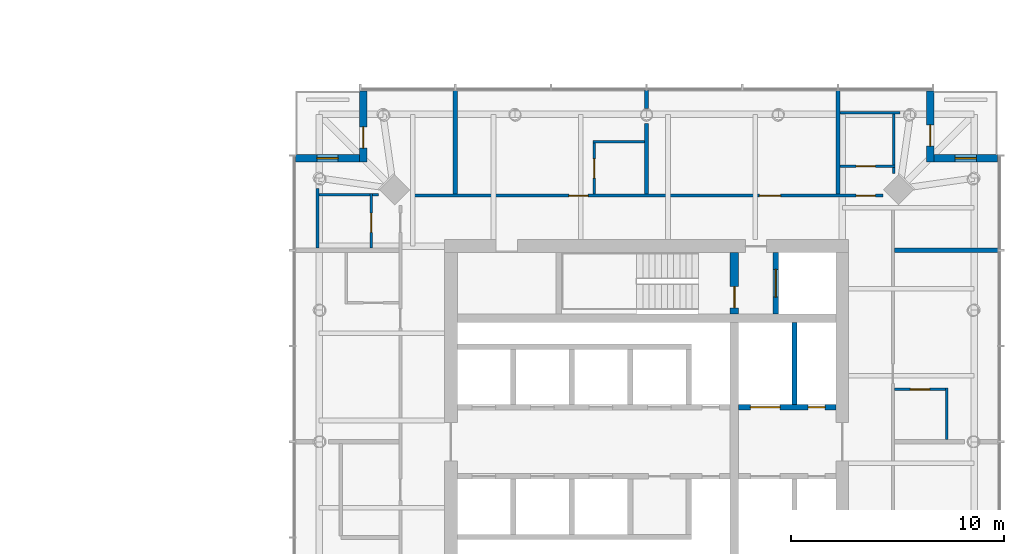
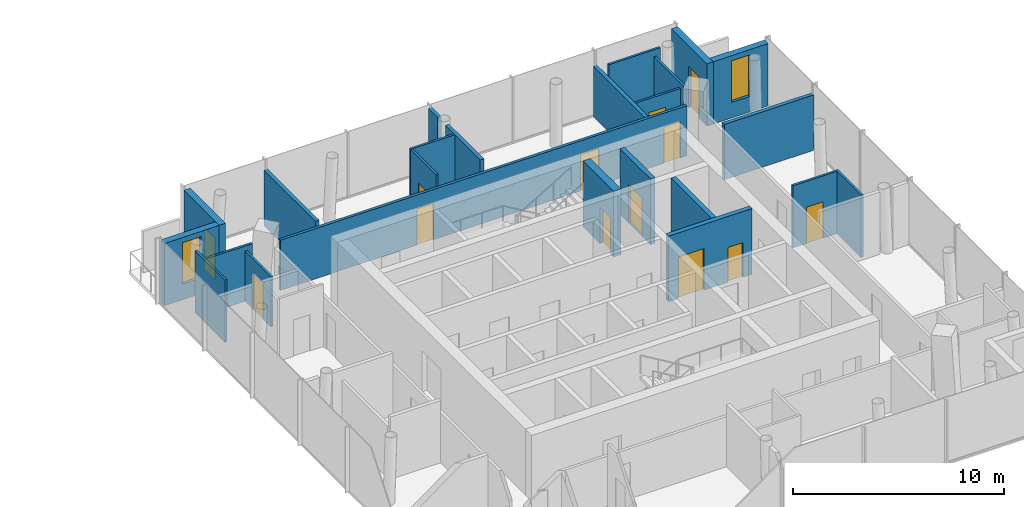
# One storey, part 15 of 18: 24 walls, 13 doors, 2 windows, 15 openings.
"""IFC4 building model written with IfcOpenShell, lengths in metres."""

from ifc_helpers import new_model, si_unit, direction, frame, frame_2d, origin, place, context, subcontext, project, spatial, rectangle, extrude, material, layer, layer_set, type_object, element, fill, save


model = new_model("IFC4")

# Units and contexts
model_context = context("Model", 3, precision=1e-05, world=origin(), true_north=direction((0.0, 1.0)))
body_context = subcontext(model_context, "Body", "Model", "MODEL_VIEW")
ifc_project = project(units=[si_unit("LENGTHUNIT", "METRE"), si_unit("AREAUNIT", "SQUARE_METRE"), si_unit("VOLUMEUNIT", "CUBIC_METRE"), si_unit("PLANEANGLEUNIT", "RADIAN"), si_unit("MASSUNIT", "GRAM", prefix="KILO")], contexts=[model_context])

# Site, building, storey
site_placement = place(None, origin())
site = spatial("IfcSite", under=ifc_project, at=site_placement, CompositionType="ELEMENT")
building_placement = place(site_placement, origin())
building = spatial("IfcBuilding", under=site, at=building_placement, Name="Ostroluk Exchange", CompositionType="ELEMENT")
storey_placement = place(building_placement, frame((0.0, 0.0, 104.60009765625)))
storey = spatial("IfcBuildingStorey", under=building, at=storey_placement, Name="L26", CompositionType="ELEMENT", Elevation=104.60009765625)

# Wall, opening, door
ifc_material_1 = material(Name="Concrete C50/60", Category="concrete")
ifc_layer_1 = layer(ifc_material_1, 0.39990234375)
ifc_layer_set_1 = layer_set([ifc_layer_1], Name="Core cross wall 400 C50/60")
wall_type_1 = type_object("IfcWallType", Name="Core cross wall 400 C50/60", PredefinedType="SHEAR", material=ifc_layer_set_1)
wall_1_placement = place(storey_placement, frame((121.1298828125, 52.0, 0.0), z_axis=(0.0, 0.0, 1.0), x_axis=(0.0, 1.0, 0.0)))
wall_1 = element("IfcWall", 1, at=wall_1_placement, inside=storey, type_object=wall_type_1, Name="T2 core wall YE3", PredefinedType="SHEAR", context=body_context, shape_type="SweptSolid", body=[
    extrude(rectangle(XDim=2.89990234375, YDim=0.39990234375, at=frame_2d((1.449951171875, 0.0))), origin(), (0.0, 0.0, 1.0), 3.7998046875),
])
opening_1_placement = place(wall_1_placement, frame((0.300048828125, 0.0, 0.0)))
opening_1 = element("IfcOpeningElement", 2, at=opening_1_placement, cuts=wall_1, Name="Opening FD60", PredefinedType="OPENING", context=body_context, shape_type="SweptSolid", body=[
    extrude(rectangle(XDim=1.0, YDim=2.10009765625, at=frame_2d((0.5, 1.050048828125))), frame((0.0, 0.2099609375, 0.0), z_axis=(0.0, -1.0, 0.0), x_axis=(1.0, 0.0, 0.0)), (0.0, 0.0, 1.0), 0.419921875),
])
ifc_material_2 = material(Name="Steel", Category="steel")
door_type_1 = type_object("IfcDoorType", Name="Fire door EI 60 1000 x 2100", OperationType="SINGLE_SWING_LEFT", PredefinedType="DOOR", material=ifc_material_2)
door_1_placement = place(opening_1_placement, origin())
door_1 = element("IfcDoor", 3, at=door_1_placement, inside=storey, type_object=door_type_1, Name="Stair T2-S2 door", OperationType="SINGLE_SWING_LEFT", OverallHeight=2.10009765625, OverallWidth=1.0, PredefinedType="DOOR", context=body_context, shape_type="SweptSolid", body=[
    extrude(rectangle(XDim=1.0, YDim=2.10009765625, at=frame_2d((0.5, 1.050048828125))), frame((0.0, 0.02490234375, 0.0), z_axis=(0.0, -1.0, 0.0), x_axis=(1.0, 0.0, 0.0)), (0.0, 0.0, 1.0), 0.050048828125),
])
fill(opening_1, door_1)

ifc_material_3 = material(Name="Concrete C40/50", Category="concrete")
ifc_layer_2 = layer(ifc_material_3, 0.25)
ifc_layer_set_2 = layer_set([ifc_layer_2], Name="Core shaft wall 250")
wall_type_2 = type_object("IfcWallType", Name="Core shaft wall 250", PredefinedType="SHEAR", material=ifc_layer_set_2)
wall_2_placement = place(storey_placement, frame((123.074951171875, 52.0, 0.0), z_axis=(0.0, 0.0, 1.0), x_axis=(0.0, 1.0, 0.0)))
wall_2 = element("IfcWall", 4, at=wall_2_placement, inside=storey, type_object=wall_type_2, Name="Firefighting lift shaft wall", PredefinedType="SHEAR", context=body_context, shape_type="SweptSolid", body=[
    extrude(rectangle(XDim=2.89990234375, YDim=0.25, at=frame_2d((1.449951171875, 0.0))), origin(), (0.0, 0.0, 1.0), 3.7998046875),
])
opening_2_placement = place(wall_2_placement, frame((0.800048828125, 0.0, 0.0)))
opening_2 = element("IfcOpeningElement", 5, at=opening_2_placement, cuts=wall_2, Name="Opening LD2", PredefinedType="OPENING", context=body_context, shape_type="SweptSolid", body=[
    extrude(rectangle(XDim=1.300048828125, YDim=2.199951171875, at=frame_2d((0.64990234375, 1.10009765625))), frame((0.0, 0.135009765625, 0.0), z_axis=(0.0, -1.0, 0.0), x_axis=(1.0, 0.0, 0.0)), (0.0, 0.0, 1.0), 0.27001953125),
])
ifc_material_4 = material(Name="Stainless steel", Category="steel")
door_type_2 = type_object("IfcDoorType", Name="Lift landing door E 60 1300 x 2200", OperationType="DOUBLE_DOOR_SLIDING", PredefinedType="DOOR", material=ifc_material_4)
door_2_placement = place(opening_2_placement, origin())
door_2 = element("IfcDoor", 6, at=door_2_placement, inside=storey, type_object=door_type_2, Name="Lift HF2 landing door", OperationType="DOUBLE_DOOR_SLIDING", OverallHeight=2.199951171875, OverallWidth=1.300048828125, PredefinedType="DOOR", context=body_context, shape_type="SweptSolid", body=[
    extrude(rectangle(XDim=1.300048828125, YDim=2.199951171875, at=frame_2d((0.64990234375, 1.10009765625))), frame((0.0, 0.02490234375, 0.0), z_axis=(0.0, -1.0, 0.0), x_axis=(1.0, 0.0, 0.0)), (0.0, 0.0, 1.0), 0.050048828125),
])
fill(opening_2, door_2)

# Wall
wall_3_placement = place(storey_placement, frame((123.955078125, 47.75, 0.0), z_axis=(0.0, 0.0, 1.0), x_axis=(0.0, 1.0, 0.0)))
element("IfcWall", 7, at=wall_3_placement, inside=storey, type_object=wall_type_2, Name="Lift shaft wall", PredefinedType="SHEAR", context=body_context, shape_type="SweptSolid", body=[
    extrude(rectangle(XDim=3.85009765625, YDim=0.25, at=frame_2d((1.925048828125, 0.0))), origin(), (0.0, 0.0, 1.0), 3.7998046875),
])

# Wall, openings, doors
wall_4_placement = place(storey_placement, frame((121.330078125, 47.625, 0.0), z_axis=(0.0, 0.0, 1.0), x_axis=(1.0, 0.0, 0.0)))
wall_4 = element("IfcWall", 8, at=wall_4_placement, inside=storey, type_object=wall_type_2, Name="Lift shaft front wall", PredefinedType="SHEAR", context=body_context, shape_type="SweptSolid", body=[
    extrude(rectangle(XDim=4.56982421875, YDim=0.25, at=frame_2d((2.284912109375, 0.0))), origin(), (0.0, 0.0, 1.0), 3.7998046875),
])
opening_3_placement = place(wall_4_placement, frame((0.550048828125, 0.0, 0.0)))
opening_3 = element("IfcOpeningElement", 9, at=opening_3_placement, cuts=wall_4, Name="Opening LD3", PredefinedType="OPENING", context=body_context, shape_type="SweptSolid", body=[
    extrude(rectangle(XDim=1.39990234375, YDim=2.39990234375, at=frame_2d((0.699951171875, 1.199951171875))), frame((0.0, 0.135009765625, 0.0), z_axis=(0.0, -1.0, 0.0), x_axis=(1.0, 0.0, 0.0)), (0.0, 0.0, 1.0), 0.27001953125),
])
opening_4_placement = place(wall_4_placement, frame((3.260009765625, 0.0, 0.0)))
opening_4 = element("IfcOpeningElement", 10, at=opening_4_placement, cuts=wall_4, Name="Opening RD60", PredefinedType="OPENING", context=body_context, shape_type="SweptSolid", body=[
    extrude(rectangle(XDim=0.800048828125, YDim=2.0, at=frame_2d((0.39990234375, 1.0))), frame((0.0, 0.135009765625, 0.0), z_axis=(0.0, -1.0, 0.0), x_axis=(1.0, 0.0, 0.0)), (0.0, 0.0, 1.0), 0.27001953125),
])
ifc_material_5 = material(Name="Stainless steel", Category="steel")
door_type_3 = type_object("IfcDoorType", Name="Goods lift landing door E 60 1400 x 2400", OperationType="DOUBLE_DOOR_SLIDING", PredefinedType="DOOR", material=ifc_material_5)
door_3_placement = place(opening_3_placement, origin())
door_3 = element("IfcDoor", 11, at=door_3_placement, inside=storey, type_object=door_type_3, Name="Lift HS1 landing door", OperationType="DOUBLE_DOOR_SLIDING", OverallHeight=2.39990234375, OverallWidth=1.39990234375, PredefinedType="DOOR", context=body_context, shape_type="SweptSolid", body=[
    extrude(rectangle(XDim=1.39990234375, YDim=2.39990234375, at=frame_2d((0.699951171875, 1.199951171875))), frame((0.0, 0.02490234375, 0.0), z_axis=(0.0, -1.0, 0.0), x_axis=(1.0, 0.0, 0.0)), (0.0, 0.0, 1.0), 0.050048828125),
])
fill(opening_3, door_3)
ifc_material_6 = material(Name="Steel", Category="steel")
door_type_4 = type_object("IfcDoorType", Name="Riser access door EI 60 800 x 2000", OperationType="SINGLE_SWING_LEFT", PredefinedType="DOOR", material=ifc_material_6)
door_4_placement = place(opening_4_placement, origin())
door_4 = element("IfcDoor", 12, at=door_4_placement, inside=storey, type_object=door_type_4, Name="Riser access door", OperationType="SINGLE_SWING_RIGHT", OverallHeight=2.0, OverallWidth=0.800048828125, PredefinedType="DOOR", context=body_context, shape_type="SweptSolid", body=[
    extrude(rectangle(XDim=0.800048828125, YDim=2.0, at=frame_2d((0.39990234375, 1.0))), frame((0.0, 0.02490234375, 0.0), z_axis=(0.0, -1.0, 0.0), x_axis=(1.0, 0.0, 0.0)), (0.0, 0.0, 1.0), 0.050048828125),
])
fill(opening_4, door_4)

# Wall, opening, door
ifc_material_7 = material(Name="Limestone", Category="masonry")
ifc_layer_3 = layer(ifc_material_7, 0.35009765625)
ifc_layer_set_3 = layer_set([ifc_layer_3], Name="Limestone facade wall 350")
wall_type_3 = type_object("IfcWallType", Name="Limestone facade wall 350", PredefinedType="SOLIDWALL", material=ifc_layer_set_3)
wall_5_placement = place(storey_placement, frame((130.324951171875, 62.5, 0.0), z_axis=(0.0, 0.0, 1.0), x_axis=(0.0, -1.0, 0.0)))
wall_5 = element("IfcWall", 13, at=wall_5_placement, inside=storey, type_object=wall_type_3, Name="Hotel tower NE corner wall L26 a", PredefinedType="SOLIDWALL", context=body_context, shape_type="SweptSolid", body=[
    extrude(rectangle(XDim=3.35009765625, YDim=0.35009765625, at=frame_2d((1.675048828125, 0.0))), origin(), (0.0, 0.0, 1.0), 3.599853515625),
])
opening_5_placement = place(wall_5_placement, frame((1.60009765625, 0.0, 0.0)))
opening_5 = element("IfcOpeningElement", 14, at=opening_5_placement, cuts=wall_5, Name="Opening D-B1", PredefinedType="OPENING", context=body_context, shape_type="SweptSolid", body=[
    extrude(rectangle(XDim=1.0, YDim=2.39990234375, at=frame_2d((0.5, 1.199951171875))), frame((0.0, 0.18505859375, 0.0), z_axis=(0.0, -1.0, 0.0), x_axis=(1.0, 0.0, 0.0)), (0.0, 0.0, 1.0), 0.3701171875),
])
ifc_material_8 = material(Name="Bronze framed glazed door", Category="aluminium")
door_type_5 = type_object("IfcDoorType", Name="Balcony door 1000 x 2400", OperationType="SINGLE_SWING_LEFT", PredefinedType="DOOR", material=ifc_material_8)
door_5_placement = place(opening_5_placement, origin())
door_5 = element("IfcDoor", 15, at=door_5_placement, inside=storey, type_object=door_type_5, Name="Hotel tower NE balcony door L26", OperationType="SINGLE_SWING_RIGHT", OverallHeight=2.39990234375, OverallWidth=1.0, PredefinedType="DOOR", context=body_context, shape_type="SweptSolid", body=[
    extrude(rectangle(XDim=1.0, YDim=2.39990234375, at=frame_2d((0.5, 1.199951171875))), frame((0.0, 0.02490234375, 0.0), z_axis=(0.0, -1.0, 0.0), x_axis=(1.0, 0.0, 0.0)), (0.0, 0.0, 1.0), 0.050048828125),
])
fill(opening_5, door_5)

# Wall, opening, window
wall_6_placement = place(storey_placement, frame((130.5, 59.324951171875, 0.0), z_axis=(0.0, 0.0, 1.0), x_axis=(1.0, 0.0, 0.0)))
wall_6 = element("IfcWall", 16, at=wall_6_placement, inside=storey, type_object=wall_type_3, Name="Hotel tower NE corner wall L26 b", PredefinedType="SOLIDWALL", context=body_context, shape_type="SweptSolid", body=[
    extrude(rectangle(XDim=3.0, YDim=0.35009765625, at=frame_2d((1.5, 0.0))), origin(), (0.0, 0.0, 1.0), 3.599853515625),
])
opening_6_placement = place(wall_6_placement, frame((1.0, 0.0, 0.89990234375)))
opening_6 = element("IfcOpeningElement", 17, at=opening_6_placement, cuts=wall_6, Name="Opening WN-L3", PredefinedType="OPENING", context=body_context, shape_type="SweptSolid", body=[
    extrude(rectangle(XDim=1.0, YDim=2.39990234375, at=frame_2d((0.5, 1.199951171875))), frame((0.0, 0.18505859375, 0.0), z_axis=(0.0, -1.0, 0.0), x_axis=(1.0, 0.0, 0.0)), (0.0, 0.0, 1.0), 0.3701171875),
])
ifc_material_9 = material(Name="Laminated clear glass", Category="glass")
window_type = type_object("IfcWindowType", Name="Hotel lancet window 1000 x 2400", PartitioningType="SINGLE_PANEL", PredefinedType="WINDOW", material=ifc_material_9)
window_1_placement = place(opening_6_placement, origin())
window_1 = element("IfcWindow", 18, at=window_1_placement, inside=storey, type_object=window_type, Name="Hotel tower NE lancet window L26", OverallHeight=2.39990234375, OverallWidth=1.0, PartitioningType="SINGLE_PANEL", PredefinedType="WINDOW", context=body_context, shape_type="SweptSolid", body=[
    extrude(rectangle(XDim=1.0, YDim=2.39990234375, at=frame_2d((0.5, 1.199951171875))), frame((0.0, 0.030029296875, 0.0), z_axis=(0.0, -1.0, 0.0), x_axis=(1.0, 0.0, 0.0)), (0.0, 0.0, 1.0), 0.06005859375),
])
fill(opening_6, window_1)

# Wall, opening, door
wall_7_placement = place(storey_placement, frame((103.675048828125, 62.5, 0.0), z_axis=(0.0, 0.0, 1.0), x_axis=(0.0, -1.0, 0.0)))
wall_7 = element("IfcWall", 19, at=wall_7_placement, inside=storey, type_object=wall_type_3, Name="Hotel tower NW corner wall L26 a", PredefinedType="SOLIDWALL", context=body_context, shape_type="SweptSolid", body=[
    extrude(rectangle(XDim=3.35009765625, YDim=0.35009765625, at=frame_2d((1.675048828125, 0.0))), origin(), (0.0, 0.0, 1.0), 3.599853515625),
])
opening_7_placement = place(wall_7_placement, frame((1.699951171875, 0.0, 0.0)))
opening_7 = element("IfcOpeningElement", 20, at=opening_7_placement, cuts=wall_7, Name="Opening D-B1", PredefinedType="OPENING", context=body_context, shape_type="SweptSolid", body=[
    extrude(rectangle(XDim=1.0, YDim=2.39990234375, at=frame_2d((0.5, 1.199951171875))), frame((0.0, 0.18505859375, 0.0), z_axis=(0.0, -1.0, 0.0), x_axis=(1.0, 0.0, 0.0)), (0.0, 0.0, 1.0), 0.3701171875),
])
door_6_placement = place(opening_7_placement, origin())
door_6 = element("IfcDoor", 21, at=door_6_placement, inside=storey, type_object=door_type_5, Name="Hotel tower NW balcony door L26", OperationType="SINGLE_SWING_RIGHT", OverallHeight=2.39990234375, OverallWidth=1.0, PredefinedType="DOOR", context=body_context, shape_type="SweptSolid", body=[
    extrude(rectangle(XDim=1.0, YDim=2.39990234375, at=frame_2d((0.5, 1.199951171875))), frame((0.0, 0.02490234375, 0.0), z_axis=(0.0, -1.0, 0.0), x_axis=(1.0, 0.0, 0.0)), (0.0, 0.0, 1.0), 0.050048828125),
])
fill(opening_7, door_6)

# Wall, opening, window
wall_8_placement = place(storey_placement, frame((103.5, 59.324951171875, 0.0), z_axis=(0.0, 0.0, 1.0), x_axis=(-1.0, 0.0, 0.0)))
wall_8 = element("IfcWall", 22, at=wall_8_placement, inside=storey, type_object=wall_type_3, Name="Hotel tower NW corner wall L26 b", PredefinedType="SOLIDWALL", context=body_context, shape_type="SweptSolid", body=[
    extrude(rectangle(XDim=3.0, YDim=0.35009765625, at=frame_2d((1.5, 0.0))), origin(), (0.0, 0.0, 1.0), 3.599853515625),
])
opening_8_placement = place(wall_8_placement, frame((1.0, 0.0, 0.89990234375)))
opening_8 = element("IfcOpeningElement", 23, at=opening_8_placement, cuts=wall_8, Name="Opening WN-L3", PredefinedType="OPENING", context=body_context, shape_type="SweptSolid", body=[
    extrude(rectangle(XDim=1.0, YDim=2.39990234375, at=frame_2d((0.5, 1.199951171875))), frame((0.0, 0.18505859375, 0.0), z_axis=(0.0, -1.0, 0.0), x_axis=(1.0, 0.0, 0.0)), (0.0, 0.0, 1.0), 0.3701171875),
])
window_2_placement = place(opening_8_placement, origin())
window_2 = element("IfcWindow", 24, at=window_2_placement, inside=storey, type_object=window_type, Name="Hotel tower NW lancet window L26", OverallHeight=2.39990234375, OverallWidth=1.0, PartitioningType="SINGLE_PANEL", PredefinedType="WINDOW", context=body_context, shape_type="SweptSolid", body=[
    extrude(rectangle(XDim=1.0, YDim=2.39990234375, at=frame_2d((0.5, 1.199951171875))), frame((0.0, 0.030029296875, 0.0), z_axis=(0.0, -1.0, 0.0), x_axis=(1.0, 0.0, 0.0)), (0.0, 0.0, 1.0), 0.06005859375),
])
fill(opening_8, window_2)

# Wall
ifc_material_10 = material(Name="Gypsum plasterboard partition, moisture resistant", Category="gypsum")
ifc_layer_4 = layer(ifc_material_10, 0.1201171875)
ifc_layer_set_4 = layer_set([ifc_layer_4], Name="Plasterboard en-suite wall 120")
wall_type_4 = type_object("IfcWallType", Name="Plasterboard en-suite wall 120", PredefinedType="PARTITIONING", material=ifc_layer_set_4)
wall_9_placement = place(storey_placement, frame((131.110107421875, 46.10009765625, 0.0), z_axis=(0.0, 0.0, 1.0), x_axis=(0.0, 1.0, 0.0)))
element("IfcWall", 25, at=wall_9_placement, inside=storey, type_object=wall_type_4, Name="En-suite wall", PredefinedType="PARTITIONING", context=body_context, shape_type="SweptSolid", body=[
    extrude(rectangle(XDim=2.419921875, YDim=0.1201171875, at=frame_2d((1.2099609375, 0.0))), origin(), (0.0, 0.0, 1.0), 3.599853515625),
])

# Wall, opening, door
wall_10_placement = place(storey_placement, frame((128.64990234375, 48.4599609375, 0.0), z_axis=(0.0, 0.0, 1.0), x_axis=(1.0, 0.0, 0.0)))
wall_10 = element("IfcWall", 26, at=wall_10_placement, inside=storey, type_object=wall_type_4, Name="En-suite wall", PredefinedType="PARTITIONING", context=body_context, shape_type="SweptSolid", body=[
    extrude(rectangle(XDim=2.400146484375, YDim=0.1201171875, at=frame_2d((1.2001953125, 0.0))), origin(), (0.0, 0.0, 1.0), 3.599853515625),
])
opening_9_placement = place(wall_10_placement, frame((0.75, 0.0, 0.0)))
opening_9 = element("IfcOpeningElement", 27, at=opening_9_placement, cuts=wall_10, Name="Opening D-02", PredefinedType="OPENING", context=body_context, shape_type="SweptSolid", body=[
    extrude(rectangle(XDim=0.89990234375, YDim=2.10009765625, at=frame_2d((0.449951171875, 1.050048828125))), frame((0.0, 0.070068359375, 0.0), z_axis=(0.0, -1.0, 0.0), x_axis=(1.0, 0.0, 0.0)), (0.0, 0.0, 1.0), 0.14013671875),
])
ifc_material_11 = material(Name="Timber", Category="wood")
door_type_6 = type_object("IfcDoorType", Name="En-suite door 900 x 2100", OperationType="SINGLE_SWING_LEFT", PredefinedType="DOOR", material=ifc_material_11)
door_7_placement = place(opening_9_placement, origin())
door_7 = element("IfcDoor", 28, at=door_7_placement, inside=storey, type_object=door_type_6, Name="En-suite door 2602", OperationType="SINGLE_SWING_LEFT", OverallHeight=2.10009765625, OverallWidth=0.89990234375, PredefinedType="DOOR", context=body_context, shape_type="SweptSolid", body=[
    extrude(rectangle(XDim=0.89990234375, YDim=2.10009765625, at=frame_2d((0.449951171875, 1.050048828125))), frame((0.0, 0.02490234375, 0.0), z_axis=(0.0, -1.0, 0.0), x_axis=(1.0, 0.0, 0.0)), (0.0, 0.0, 1.0), 0.050048828125),
])
fill(opening_9, door_7)

wall_11_placement = place(storey_placement, frame((126.10009765625, 58.949951171875, 0.0), z_axis=(0.0, 0.0, 1.0), x_axis=(1.0, 0.0, 0.0)))
wall_11 = element("IfcWall", 29, at=wall_11_placement, inside=storey, type_object=wall_type_4, Name="En-suite wall", PredefinedType="PARTITIONING", context=body_context, shape_type="SweptSolid", body=[
    extrude(rectangle(XDim=2.579833984375, YDim=0.1201171875, at=frame_2d((1.2900390625, 0.0))), origin(), (0.0, 0.0, 1.0), 2.89990234375),
])
opening_10_placement = place(wall_11_placement, frame((0.75, 0.0, 0.0)))
opening_10 = element("IfcOpeningElement", 30, at=opening_10_placement, cuts=wall_11, Name="Opening D-02", PredefinedType="OPENING", context=body_context, shape_type="SweptSolid", body=[
    extrude(rectangle(XDim=0.89990234375, YDim=2.10009765625, at=frame_2d((0.449951171875, 1.050048828125))), frame((0.0, 0.070068359375, 0.0), z_axis=(0.0, -1.0, 0.0), x_axis=(1.0, 0.0, 0.0)), (0.0, 0.0, 1.0), 0.14013671875),
])
door_8_placement = place(opening_10_placement, origin())
door_8 = element("IfcDoor", 31, at=door_8_placement, inside=storey, type_object=door_type_6, Name="En-suite door 2603", OperationType="SINGLE_SWING_LEFT", OverallHeight=2.10009765625, OverallWidth=0.89990234375, PredefinedType="DOOR", context=body_context, shape_type="SweptSolid", body=[
    extrude(rectangle(XDim=0.89990234375, YDim=2.10009765625, at=frame_2d((0.449951171875, 1.050048828125))), frame((0.0, 0.02490234375, 0.0), z_axis=(0.0, -1.0, 0.0), x_axis=(1.0, 0.0, 0.0)), (0.0, 0.0, 1.0), 0.050048828125),
])
fill(opening_10, door_8)

# Walls
wall_12_placement = place(storey_placement, frame((126.10009765625, 61.469970703125, 0.0), z_axis=(0.0, 0.0, 1.0), x_axis=(1.0, 0.0, 0.0)))
element("IfcWall", 32, at=wall_12_placement, inside=storey, type_object=wall_type_4, Name="En-suite wall", PredefinedType="PARTITIONING", context=body_context, shape_type="SweptSolid", body=[
    extrude(rectangle(XDim=2.809814453125, YDim=0.1201171875, at=frame_2d((1.40478515625, 0.0))), origin(), (0.0, 0.0, 1.0), 3.599853515625),
])
wall_13_placement = place(storey_placement, frame((128.6201171875, 58.603759765625, 0.0), z_axis=(0.0, 0.0, 1.0), x_axis=(0.0, 1.0, 0.0)))
element("IfcWall", 33, at=wall_13_placement, inside=storey, type_object=wall_type_4, Name="En-suite wall", PredefinedType="PARTITIONING", context=body_context, shape_type="SweptSolid", body=[
    extrude(rectangle(XDim=2.80615234375, YDim=0.1201171875, at=frame_2d((1.403076171875, 0.0))), origin(), (0.0, 0.0, 1.0), 3.199951171875),
])
wall_14_placement = place(storey_placement, frame((116.89990234375, 60.110107421875, 0.0), z_axis=(0.0, 0.0, 1.0), x_axis=(-1.0, 0.0, 0.0)))
element("IfcWall", 34, at=wall_14_placement, inside=storey, type_object=wall_type_4, Name="En-suite wall", PredefinedType="PARTITIONING", context=body_context, shape_type="SweptSolid", body=[
    extrude(rectangle(XDim=2.419921875, YDim=0.1201171875, at=frame_2d((1.2099609375, 0.0))), origin(), (0.0, 0.0, 1.0), 3.599853515625),
])

# Wall, opening, door
wall_15_placement = place(storey_placement, frame((114.5400390625, 57.64990234375, 0.0), z_axis=(0.0, 0.0, 1.0), x_axis=(0.0, 1.0, 0.0)))
wall_15 = element("IfcWall", 35, at=wall_15_placement, inside=storey, type_object=wall_type_4, Name="En-suite wall", PredefinedType="PARTITIONING", context=body_context, shape_type="SweptSolid", body=[
    extrude(rectangle(XDim=2.400146484375, YDim=0.1201171875, at=frame_2d((1.2001953125, 0.0))), origin(), (0.0, 0.0, 1.0), 3.599853515625),
])
opening_11_placement = place(wall_15_placement, frame((0.75, 0.0, 0.0)))
opening_11 = element("IfcOpeningElement", 36, at=opening_11_placement, cuts=wall_15, Name="Opening D-02", PredefinedType="OPENING", context=body_context, shape_type="SweptSolid", body=[
    extrude(rectangle(XDim=0.89990234375, YDim=2.10009765625, at=frame_2d((0.449951171875, 1.050048828125))), frame((0.0, 0.070068359375, 0.0), z_axis=(0.0, -1.0, 0.0), x_axis=(1.0, 0.0, 0.0)), (0.0, 0.0, 1.0), 0.14013671875),
])
door_9_placement = place(opening_11_placement, origin())
door_9 = element("IfcDoor", 37, at=door_9_placement, inside=storey, type_object=door_type_6, Name="En-suite door 2604", OperationType="SINGLE_SWING_RIGHT", OverallHeight=2.10009765625, OverallWidth=0.89990234375, PredefinedType="DOOR", context=body_context, shape_type="SweptSolid", body=[
    extrude(rectangle(XDim=0.89990234375, YDim=2.10009765625, at=frame_2d((0.449951171875, 1.050048828125))), frame((0.0, 0.02490234375, 0.0), z_axis=(0.0, -1.0, 0.0), x_axis=(1.0, 0.0, 0.0)), (0.0, 0.0, 1.0), 0.050048828125),
])
fill(opening_11, door_9)

wall_16_placement = place(storey_placement, frame((104.050048828125, 55.10009765625, 0.0), z_axis=(0.0, 0.0, 1.0), x_axis=(0.0, 1.0, 0.0)))
wall_16 = element("IfcWall", 38, at=wall_16_placement, inside=storey, type_object=wall_type_4, Name="En-suite wall", PredefinedType="PARTITIONING", context=body_context, shape_type="SweptSolid", body=[
    extrude(rectangle(XDim=2.579833984375, YDim=0.1201171875, at=frame_2d((1.2900390625, 0.0))), origin(), (0.0, 0.0, 1.0), 2.89990234375),
])
opening_12_placement = place(wall_16_placement, frame((0.75, 0.0, 0.0)))
opening_12 = element("IfcOpeningElement", 39, at=opening_12_placement, cuts=wall_16, Name="Opening D-02", PredefinedType="OPENING", context=body_context, shape_type="SweptSolid", body=[
    extrude(rectangle(XDim=0.89990234375, YDim=2.10009765625, at=frame_2d((0.449951171875, 1.050048828125))), frame((0.0, 0.070068359375, 0.0), z_axis=(0.0, -1.0, 0.0), x_axis=(1.0, 0.0, 0.0)), (0.0, 0.0, 1.0), 0.14013671875),
])
door_10_placement = place(opening_12_placement, origin())
door_10 = element("IfcDoor", 40, at=door_10_placement, inside=storey, type_object=door_type_6, Name="En-suite door 2605", OperationType="SINGLE_SWING_LEFT", OverallHeight=2.10009765625, OverallWidth=0.89990234375, PredefinedType="DOOR", context=body_context, shape_type="SweptSolid", body=[
    extrude(rectangle(XDim=0.89990234375, YDim=2.10009765625, at=frame_2d((0.449951171875, 1.050048828125))), frame((0.0, 0.02490234375, 0.0), z_axis=(0.0, -1.0, 0.0), x_axis=(1.0, 0.0, 0.0)), (0.0, 0.0, 1.0), 0.050048828125),
])
fill(opening_12, door_10)

# Walls
wall_17_placement = place(storey_placement, frame((101.530029296875, 55.10009765625, 0.0), z_axis=(0.0, 0.0, 1.0), x_axis=(0.0, 1.0, 0.0)))
element("IfcWall", 41, at=wall_17_placement, inside=storey, type_object=wall_type_4, Name="En-suite wall", PredefinedType="PARTITIONING", context=body_context, shape_type="SweptSolid", body=[
    extrude(rectangle(XDim=2.809814453125, YDim=0.1201171875, at=frame_2d((1.40478515625, 0.0))), origin(), (0.0, 0.0, 1.0), 3.599853515625),
])
wall_18_placement = place(storey_placement, frame((104.396240234375, 57.6201171875, 0.0), z_axis=(0.0, 0.0, 1.0), x_axis=(-1.0, 0.0, 0.0)))
element("IfcWall", 42, at=wall_18_placement, inside=storey, type_object=wall_type_4, Name="En-suite wall", PredefinedType="PARTITIONING", context=body_context, shape_type="SweptSolid", body=[
    extrude(rectangle(XDim=2.80615234375, YDim=0.1201171875, at=frame_2d((1.403076171875, 0.0))), origin(), (0.0, 0.0, 1.0), 3.199951171875),
])

# Wall, openings, doors
ifc_material_12 = material(Name="Gypsum plasterboard partition", Category="gypsum")
ifc_layer_5 = layer(ifc_material_12, 0.14990234375)
ifc_layer_set_5 = layer_set([ifc_layer_5], Name="Plasterboard partition 150")
wall_type_5 = type_object("IfcWallType", Name="Plasterboard partition 150", PredefinedType="PARTITIONING", material=ifc_layer_set_5)
wall_19_placement = place(storey_placement, frame((128.1083984375, 57.574951171875, 0.0), z_axis=(0.0, 0.0, 1.0), x_axis=(-1.0, 0.0, 0.0)))
wall_19 = element("IfcWall", 43, at=wall_19_placement, inside=storey, type_object=wall_type_5, Name="Corridor wall", PredefinedType="PARTITIONING", context=body_context, shape_type="SweptSolid", body=[
    extrude(rectangle(XDim=22.216796875, YDim=0.14990234375, at=frame_2d((11.1083984375, 0.0))), origin(), (0.0, 0.0, 1.0), 2.89990234375),
])
opening_13_placement = place(wall_19_placement, frame((0.3583984375, 0.0, 0.0)))
opening_13 = element("IfcOpeningElement", 44, at=opening_13_placement, cuts=wall_19, Name="Opening D-01", PredefinedType="OPENING", context=body_context, shape_type="SweptSolid", body=[
    extrude(rectangle(XDim=0.89990234375, YDim=2.10009765625, at=frame_2d((0.449951171875, 1.050048828125))), frame((0.0, 0.0849609375, 0.0), z_axis=(0.0, -1.0, 0.0), x_axis=(1.0, 0.0, 0.0)), (0.0, 0.0, 1.0), 0.169921875),
])
opening_14_placement = place(wall_19_placement, frame((4.808349609375, 0.0, 0.0)))
opening_14 = element("IfcOpeningElement", 45, at=opening_14_placement, cuts=wall_19, Name="Opening D-03", PredefinedType="OPENING", context=body_context, shape_type="SweptSolid", body=[
    extrude(rectangle(XDim=1.0, YDim=2.10009765625, at=frame_2d((0.5, 1.050048828125))), frame((0.0, 0.0849609375, 0.0), z_axis=(0.0, -1.0, 0.0), x_axis=(1.0, 0.0, 0.0)), (0.0, 0.0, 1.0), 0.169921875),
])
opening_15_placement = place(wall_19_placement, frame((13.8583984375, 0.0, 0.0)))
opening_15 = element("IfcOpeningElement", 46, at=opening_15_placement, cuts=wall_19, Name="Opening D-01", PredefinedType="OPENING", context=body_context, shape_type="SweptSolid", body=[
    extrude(rectangle(XDim=0.89990234375, YDim=2.10009765625, at=frame_2d((0.449951171875, 1.050048828125))), frame((0.0, 0.0849609375, 0.0), z_axis=(0.0, -1.0, 0.0), x_axis=(1.0, 0.0, 0.0)), (0.0, 0.0, 1.0), 0.169921875),
])
ifc_material_13 = material(Name="Timber", Category="wood")
door_type_7 = type_object("IfcDoorType", Name="Hotel room door EI 30 Sa 900 x 2100", OperationType="SINGLE_SWING_LEFT", PredefinedType="DOOR", material=ifc_material_13)
door_11_placement = place(opening_13_placement, origin())
door_11 = element("IfcDoor", 47, at=door_11_placement, inside=storey, type_object=door_type_7, Name="Room door 2603", OperationType="SINGLE_SWING_LEFT", OverallHeight=2.10009765625, OverallWidth=0.89990234375, PredefinedType="DOOR", context=body_context, shape_type="SweptSolid", body=[
    extrude(rectangle(XDim=0.89990234375, YDim=2.10009765625, at=frame_2d((0.449951171875, 1.050048828125))), frame((0.0, 0.02490234375, 0.0), z_axis=(0.0, -1.0, 0.0), x_axis=(1.0, 0.0, 0.0)), (0.0, 0.0, 1.0), 0.050048828125),
])
fill(opening_13, door_11)
door_12_placement = place(opening_15_placement, origin())
door_12 = element("IfcDoor", 48, at=door_12_placement, inside=storey, type_object=door_type_7, Name="Room door 2604", OperationType="SINGLE_SWING_RIGHT", OverallHeight=2.10009765625, OverallWidth=0.89990234375, PredefinedType="DOOR", context=body_context, shape_type="SweptSolid", body=[
    extrude(rectangle(XDim=0.89990234375, YDim=2.10009765625, at=frame_2d((0.449951171875, 1.050048828125))), frame((0.0, 0.02490234375, 0.0), z_axis=(0.0, -1.0, 0.0), x_axis=(1.0, 0.0, 0.0)), (0.0, 0.0, 1.0), 0.050048828125),
])
fill(opening_15, door_12)
ifc_material_14 = material(Name="Timber", Category="wood")
door_type_8 = type_object("IfcDoorType", Name="Internal door 1000 x 2100", OperationType="SINGLE_SWING_LEFT", PredefinedType="DOOR", material=ifc_material_14)
door_13_placement = place(opening_14_placement, origin())
door_13 = element("IfcDoor", 49, at=door_13_placement, inside=storey, type_object=door_type_8, Name="Guest lounge door", OperationType="SINGLE_SWING_LEFT", OverallHeight=2.10009765625, OverallWidth=1.0, PredefinedType="DOOR", context=body_context, shape_type="SweptSolid", body=[
    extrude(rectangle(XDim=1.0, YDim=2.10009765625, at=frame_2d((0.5, 1.050048828125))), frame((0.0, 0.02490234375, 0.0), z_axis=(0.0, -1.0, 0.0), x_axis=(1.0, 0.0, 0.0)), (0.0, 0.0, 1.0), 0.050048828125),
])
fill(opening_14, door_13)

# Walls
ifc_material_15 = material(Name="Gypsum plasterboard partition", Category="gypsum")
ifc_layer_6 = layer(ifc_material_15, 0.199951171875)
ifc_layer_set_6 = layer_set([ifc_layer_6], Name="Plasterboard party wall 200")
wall_type_6 = type_object("IfcWallType", Name="Plasterboard party wall 200", PredefinedType="PARTITIONING", material=ifc_layer_set_6)
wall_20_placement = place(storey_placement, frame((128.64990234375, 55.0, 0.0), z_axis=(0.0, 0.0, 1.0), x_axis=(1.0, 0.0, 0.0)))
element("IfcWall", 50, at=wall_20_placement, inside=storey, type_object=wall_type_6, Name="Party wall", PredefinedType="PARTITIONING", context=body_context, shape_type="SweptSolid", body=[
    extrude(rectangle(XDim=4.89013671875, YDim=0.199951171875, at=frame_2d((2.445068359375, 0.0))), origin(), (0.0, 0.0, 1.0), 3.199951171875),
])
wall_21_placement = place(storey_placement, frame((126.0, 57.64990234375, 0.0), z_axis=(0.0, 0.0, 1.0), x_axis=(0.0, 1.0, 0.0)))
element("IfcWall", 51, at=wall_21_placement, inside=storey, type_object=wall_type_6, Name="Party wall", PredefinedType="PARTITIONING", context=body_context, shape_type="SweptSolid", body=[
    extrude(rectangle(XDim=4.89013671875, YDim=0.199951171875, at=frame_2d((2.445068359375, 0.0))), origin(), (0.0, 0.0, 1.0), 2.89990234375),
])
wall_22_placement = place(storey_placement, frame((117.0, 57.64990234375, 0.0), z_axis=(0.0, 0.0, 1.0), x_axis=(0.0, 1.0, 0.0)))
element("IfcWall", 52, at=wall_22_placement, inside=storey, type_object=wall_type_6, Name="Party wall", PredefinedType="PARTITIONING", context=body_context, shape_type="SweptSolid", body=[
    extrude(rectangle(XDim=3.303466796875, YDim=0.199951171875, at=frame_2d((1.65185546875, 0.0))), origin(), (0.0, 0.0, 1.0), 3.599853515625),
])
wall_23_placement = place(storey_placement, frame((117.0, 61.676025390625, 0.0), z_axis=(0.0, 0.0, 1.0), x_axis=(0.0, 1.0, 0.0)))
element("IfcWall", 53, at=wall_23_placement, inside=storey, type_object=wall_type_6, Name="Party wall", PredefinedType="PARTITIONING", context=body_context, shape_type="SweptSolid", body=[
    extrude(rectangle(XDim=0.864013671875, YDim=0.199951171875, at=frame_2d((0.43212890625, 0.0))), origin(), (0.0, 0.0, 1.0), 3.599853515625),
])
wall_24_placement = place(storey_placement, frame((108.0, 57.64990234375, 0.0), z_axis=(0.0, 0.0, 1.0), x_axis=(0.0, 1.0, 0.0)))
element("IfcWall", 54, at=wall_24_placement, inside=storey, type_object=wall_type_6, Name="Party wall", PredefinedType="PARTITIONING", context=body_context, shape_type="SweptSolid", body=[
    extrude(rectangle(XDim=4.89013671875, YDim=0.199951171875, at=frame_2d((2.445068359375, 0.0))), origin(), (0.0, 0.0, 1.0), 3.199951171875),
])

save(model, "model.ifc")
